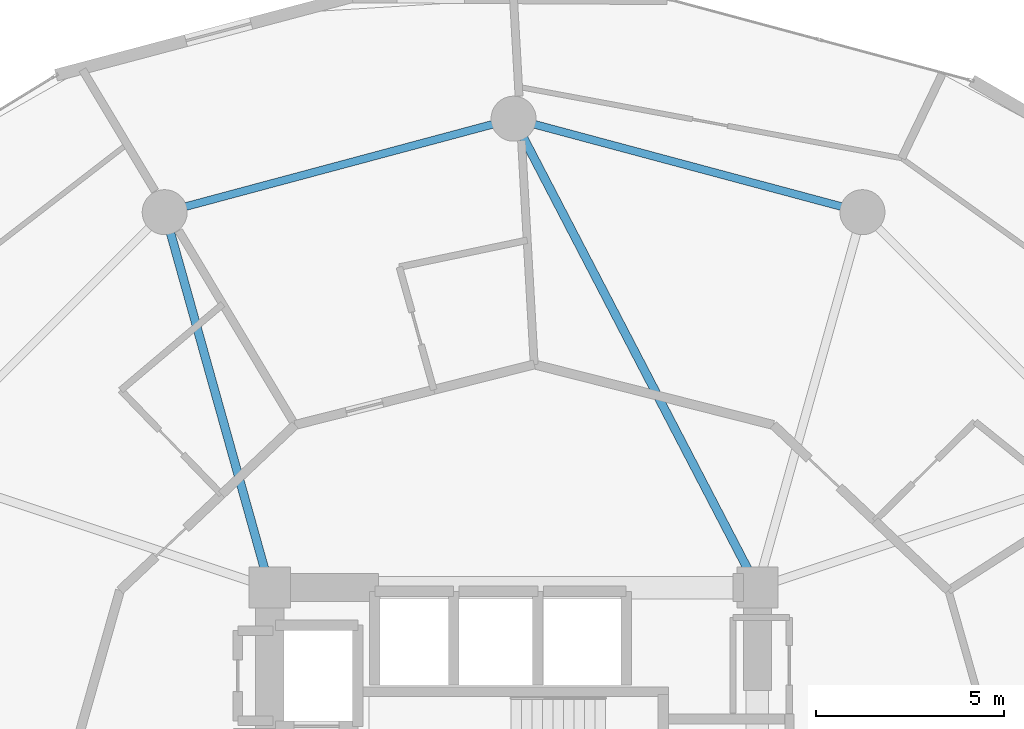
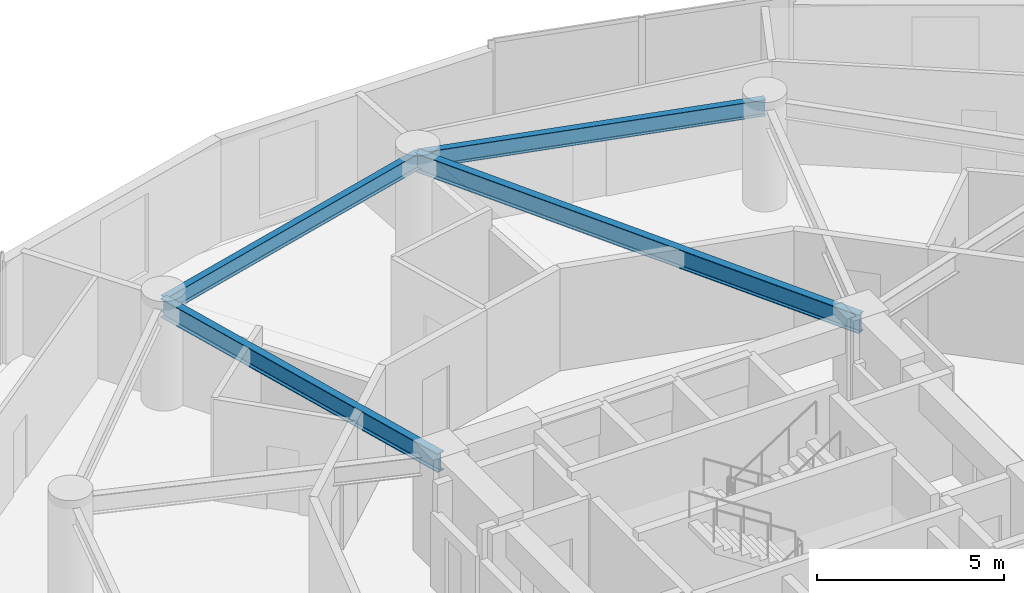
# One storey, part 12 of 23: 4 beams.
"""IFC4 building model written with IfcOpenShell, lengths in metres."""

from ifc_helpers import new_model, si_unit, direction, frame, origin, origin_2d, place, context, subcontext, project, spatial, i_section, extrude, material, material_profile, profile_set, type_object, element, save


model = new_model("IFC4")

# Units and contexts
model_context = context("Model", 3, precision=1e-05, world=origin(), true_north=direction((0.0, 1.0)))
body_context = subcontext(model_context, "Body", "Model", "MODEL_VIEW")
ifc_project = project(units=[si_unit("LENGTHUNIT", "METRE"), si_unit("AREAUNIT", "SQUARE_METRE"), si_unit("VOLUMEUNIT", "CUBIC_METRE"), si_unit("PLANEANGLEUNIT", "RADIAN"), si_unit("MASSUNIT", "GRAM", prefix="KILO")], contexts=[model_context])

# Site, building, storey
site_placement = place(None, origin())
site = spatial("IfcSite", under=ifc_project, at=site_placement, CompositionType="ELEMENT")
building_placement = place(site_placement, origin())
building = spatial("IfcBuilding", under=site, at=building_placement, Name="Solvirekh Grand Hotel", CompositionType="ELEMENT")
storey_placement = place(building_placement, frame((0.0, 0.0, 39.199951171875)))
storey = spatial("IfcBuildingStorey", under=building, at=storey_placement, Name="L08", CompositionType="ELEMENT", Elevation=39.199951171875)

# Beams
ifc_material = material(Name="Steel S355", Category="steel")
ifc_material_profile_1 = material_profile(ifc_material, i_section(OverallWidth=0.22998046875, OverallDepth=0.615966796875, WebThickness=0.013916015625, FlangeThickness=0.02392578125, FilletRadius=0.014892578125, at=origin_2d()), Name="W610X174")
ifc_profile_set_1 = profile_set([ifc_material_profile_1], Name="Steel S355")
beam_type_1 = type_object("IfcBeamType", Name="Beam_Primary_W610H", PredefinedType="BEAM", material=ifc_profile_set_1)
beam_1_placement = place(storey_placement, frame((6.5, 6.10009765625, 3.031982421875), z_axis=(-0.461352736642, 0.887216801235, 0.0), x_axis=(-0.887216801235, -0.461352736642, 0.0)))
element("IfcBeam", 1, at=beam_1_placement, inside=storey, type_object=beam_type_1, Name="L08 radial floor beam R04", PredefinedType="BEAM", context=body_context, shape_type="SweptSolid", body=[
    extrude(i_section(OverallWidth=0.22998046875, OverallDepth=0.615966796875, WebThickness=0.013916015625, FlangeThickness=0.02392578125, FilletRadius=0.014892578125, at=origin_2d()), origin(), (0.0, 0.0, 1.0), 14.089111328125),
])
beam_2_placement = place(storey_placement, frame((-6.5, 6.10009765625, 3.031982421875), z_axis=(-0.269439084681, 0.963017434757, 0.0), x_axis=(-0.963017434757, -0.269439084681, 0.0)))
element("IfcBeam", 2, at=beam_2_placement, inside=storey, type_object=beam_type_1, Name="L08 radial floor beam R05", PredefinedType="BEAM", context=body_context, shape_type="SweptSolid", body=[
    extrude(i_section(OverallWidth=0.22998046875, OverallDepth=0.615966796875, WebThickness=0.013916015625, FlangeThickness=0.02392578125, FilletRadius=0.014892578125, at=origin_2d()), origin(), (0.0, 0.0, 1.0), 10.39208984375),
])
ifc_material_profile_2 = material_profile(ifc_material, i_section(OverallWidth=0.208984375, OverallDepth=0.532958984375, WebThickness=0.010009765625, FlangeThickness=0.014892578125, FilletRadius=0.013916015625, at=origin_2d()), Name="W530X92")
ifc_profile_set_2 = profile_set([ifc_material_profile_2], Name="Steel S355")
beam_type_2 = type_object("IfcBeamType", Name="Spandrel_Ring_W530", PredefinedType="SPANDREL", material=ifc_profile_set_2)
for number, where, z_axis, x_axis, name in (
    (3, (9.300048828125, 16.10791015625, 3.072998046875), (-0.965919414426, 0.258842973314, 0.0), (-0.258842973314, -0.965919414426, 0.0), "L08 perimeter spandrel beam 3"),
    (4, (0.0, 18.60009765625, 3.072998046875), (-0.965919414426, -0.258842973314, 0.0), (0.258842973314, -0.965919414426, 0.0), "L08 perimeter spandrel beam 4"),
):
    element("IfcBeam", number, at=place(storey_placement, frame(where, z_axis=z_axis, x_axis=x_axis)), inside=storey, type_object=beam_type_2, Name=name, PredefinedType="SPANDREL", context=body_context, shape_type="SweptSolid", body=[
        extrude(i_section(OverallWidth=0.208984375, OverallDepth=0.532958984375, WebThickness=0.010009765625, FlangeThickness=0.014892578125, FilletRadius=0.013916015625, at=origin_2d()), origin(), (0.0, 0.0, 1.0), 9.628173828125),
    ])

save(model, "model.ifc")
